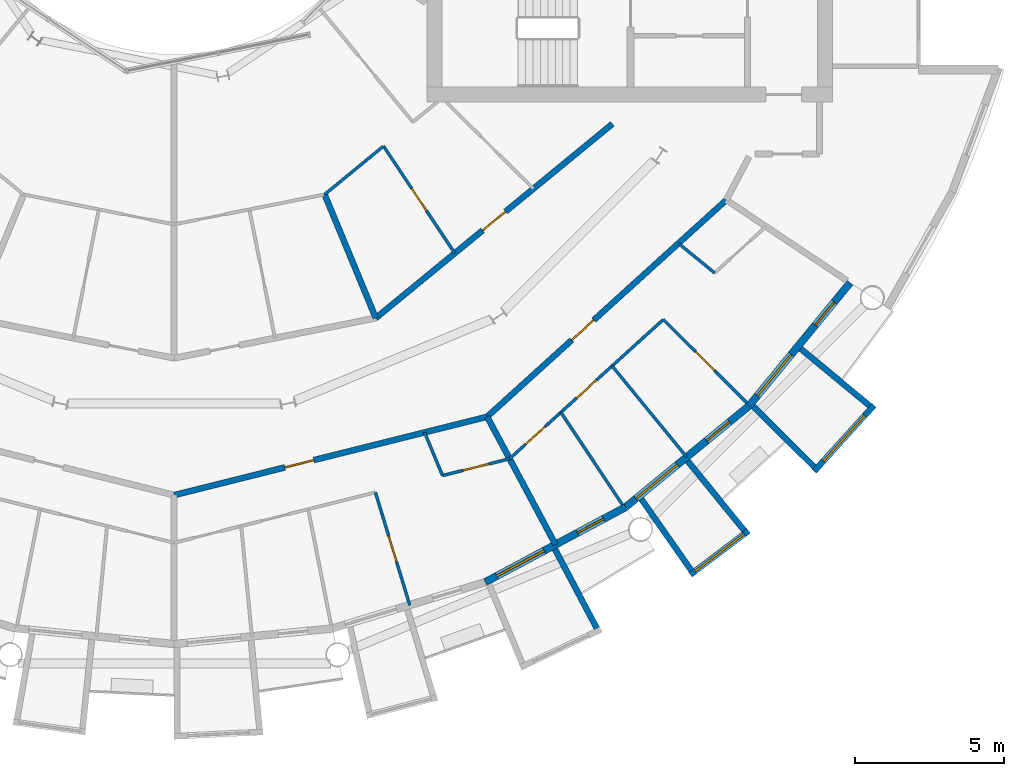
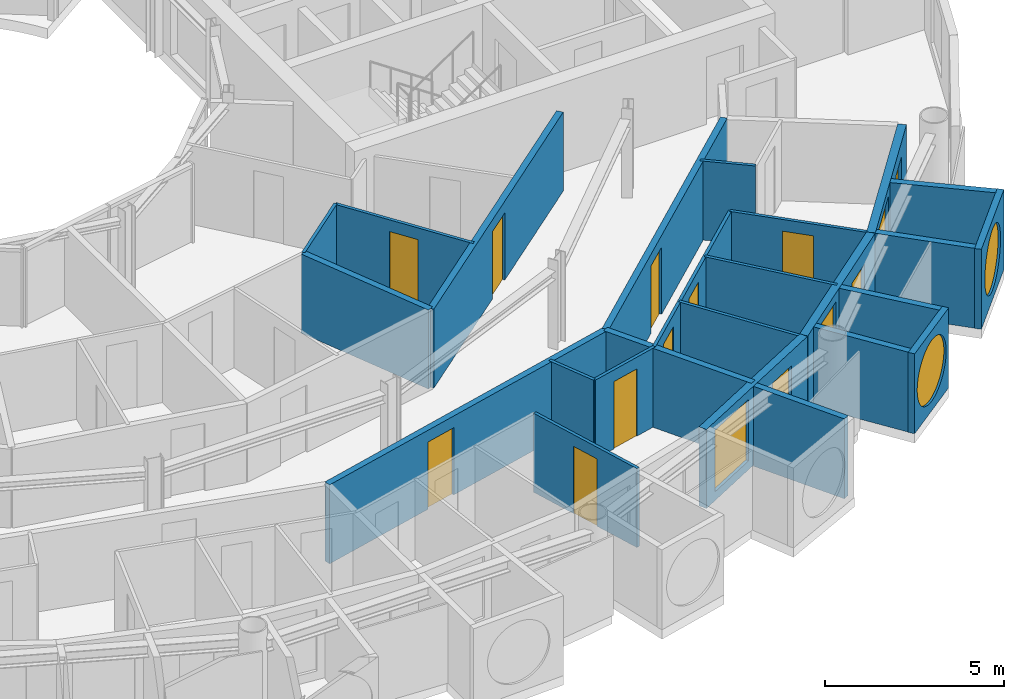
# One storey, part 17 of 26: 25 walls, 12 doors, 5 windows, 17 openings.
"""IFC4 building model written with IfcOpenShell, lengths in metres."""

from ifc_helpers import new_model, si_unit, direction, frame, frame_2d, origin, place, context, subcontext, project, spatial, rectangle, circle, extrude, material, layer, layer_set, type_object, element, fill, save


model = new_model("IFC4")

# Units and contexts
model_context = context("Model", 3, precision=1e-05, world=origin(), true_north=direction((0.0, 1.0)))
body_context = subcontext(model_context, "Body", "Model", "MODEL_VIEW")
ifc_project = project(units=[si_unit("LENGTHUNIT", "METRE"), si_unit("AREAUNIT", "SQUARE_METRE"), si_unit("VOLUMEUNIT", "CUBIC_METRE"), si_unit("PLANEANGLEUNIT", "RADIAN"), si_unit("MASSUNIT", "GRAM", prefix="KILO")], contexts=[model_context])

# Site, building, storey
site_placement = place(None, origin())
site = spatial("IfcSite", under=ifc_project, at=site_placement, CompositionType="ELEMENT")
building_placement = place(site_placement, origin())
building = spatial("IfcBuilding", under=site, at=building_placement, Name="Maasbend Ring Residences", CompositionType="ELEMENT")
storey_placement = place(building_placement, frame((0.0, 0.0, 161.60009765625)))
storey = spatial("IfcBuildingStorey", under=building, at=storey_placement, Name="L46", CompositionType="ELEMENT", Elevation=161.60009765625)

# Wall, opening, door
ifc_material_1 = material(Name="Concrete C30/37", Category="concrete")
ifc_layer_1 = layer(ifc_material_1, 0.199951171875)
ifc_layer_set_1 = layer_set([ifc_layer_1], Name="Concrete C30/37")
wall_type_1 = type_object("IfcWallType", Name="CORRIDOR WALL 200 CONCRETE", PredefinedType="PARTITIONING", material=ifc_layer_set_1)
wall_1_placement = place(storey_placement, frame((0.0, -22.300048828125, 0.0), z_axis=(0.0, 0.0, 1.0), x_axis=(0.970023181991, 0.243012399685, 0.0)))
wall_1 = element("IfcWall", 1, at=wall_1_placement, inside=storey, type_object=wall_type_1, Name="U-L46-w015", PredefinedType="PARTITIONING", context=body_context, shape_type="SweptSolid", body=[
    extrude(rectangle(XDim=10.843017578125, YDim=0.199951171875, at=frame_2d((5.42138671875, 0.0))), origin(), (0.0, 0.0, 1.0), 2.699951171875),
])
opening_1_placement = place(wall_1_placement, frame((3.8349609375, 0.0, 0.0)))
opening_1 = element("IfcOpeningElement", 2, at=opening_1_placement, cuts=wall_1, Name="Opening D-4642", PredefinedType="OPENING", context=body_context, shape_type="SweptSolid", body=[
    extrude(rectangle(XDim=1.0, YDim=2.300048828125, at=frame_2d((0.5, 1.14990234375))), frame((0.0, 0.10986328125, 0.0), z_axis=(0.0, -1.0, 0.0), x_axis=(1.0, 0.0, 0.0)), (0.0, 0.0, 1.0), 0.219970703125),
])
ifc_material_2 = material(Name="Timber, fire-rated, painted", Category="wood")
door_type_1 = type_object("IfcDoorType", Name="FLAT ENTRANCE DOOR 1000 X 2300 FIRE-RATED", OperationType="NOTDEFINED", PredefinedType="DOOR", material=ifc_material_2)
door_1_placement = place(opening_1_placement, origin())
door_1 = element("IfcDoor", 3, at=door_1_placement, inside=storey, type_object=door_type_1, Name="D-4642", OperationType="SINGLE_SWING_LEFT", OverallHeight=2.300048828125, OverallWidth=1.0, PredefinedType="DOOR", context=body_context, shape_type="SweptSolid", body=[
    extrude(rectangle(XDim=1.0, YDim=2.300048828125, at=frame_2d((0.5, 1.14990234375))), frame((0.0, 0.02490234375, 0.0), z_axis=(0.0, -1.0, 0.0), x_axis=(1.0, 0.0, 0.0)), (0.0, 0.0, 1.0), 0.050048828125),
])
fill(opening_1, door_1)

wall_2_placement = place(storey_placement, frame((10.511962890625, -19.6669921875, 0.0), z_axis=(0.0, 0.0, 1.0), x_axis=(0.740947367223, 0.671563101283, 0.0)))
wall_2 = element("IfcWall", 4, at=wall_2_placement, inside=storey, type_object=wall_type_1, Name="U-L46-w016", PredefinedType="PARTITIONING", context=body_context, shape_type="SweptSolid", body=[
    extrude(rectangle(XDim=10.83740234375, YDim=0.199951171875, at=frame_2d((5.418701171875, 0.0))), origin(), (0.0, 0.0, 1.0), 2.699951171875),
])
opening_2_placement = place(wall_2_placement, frame((3.8349609375, 0.0, 0.0)))
opening_2 = element("IfcOpeningElement", 5, at=opening_2_placement, cuts=wall_2, Name="Opening D-4647", PredefinedType="OPENING", context=body_context, shape_type="SweptSolid", body=[
    extrude(rectangle(XDim=1.0, YDim=2.300048828125, at=frame_2d((0.5, 1.14990234375))), frame((0.0, 0.10986328125, 0.0), z_axis=(0.0, -1.0, 0.0), x_axis=(1.0, 0.0, 0.0)), (0.0, 0.0, 1.0), 0.219970703125),
])
door_2_placement = place(opening_2_placement, origin())
door_2 = element("IfcDoor", 6, at=door_2_placement, inside=storey, type_object=door_type_1, Name="D-4647", OperationType="SINGLE_SWING_LEFT", OverallHeight=2.300048828125, OverallWidth=1.0, PredefinedType="DOOR", context=body_context, shape_type="SweptSolid", body=[
    extrude(rectangle(XDim=1.0, YDim=2.300048828125, at=frame_2d((0.5, 1.14990234375))), frame((0.0, 0.02490234375, 0.0), z_axis=(0.0, -1.0, 0.0), x_axis=(1.0, 0.0, 0.0)), (0.0, 0.0, 1.0), 0.050048828125),
])
fill(opening_2, door_2)

wall_3_placement = place(storey_placement, frame((6.77294921875, -16.35302734375, 0.0), z_axis=(0.0, 0.0, 1.0), x_axis=(0.773034536097, 0.634363938131, 0.0)))
wall_3 = element("IfcWall", 7, at=wall_3_placement, inside=storey, type_object=wall_type_1, Name="U-L46-w020", PredefinedType="PARTITIONING", context=body_context, shape_type="SweptSolid", body=[
    extrude(rectangle(XDim=10.276611328125, YDim=0.199951171875, at=frame_2d((5.13818359375, 0.0))), origin(), (0.0, 0.0, 1.0), 2.699951171875),
])
opening_3_placement = place(wall_3_placement, frame((4.637939453125, 0.0, 0.0)))
opening_3 = element("IfcOpeningElement", 8, at=opening_3_placement, cuts=wall_3, Name="Opening D-4662", PredefinedType="OPENING", context=body_context, shape_type="SweptSolid", body=[
    extrude(rectangle(XDim=1.0, YDim=2.300048828125, at=frame_2d((0.5, 1.14990234375))), frame((0.0, 0.10986328125, 0.0), z_axis=(0.0, -1.0, 0.0), x_axis=(1.0, 0.0, 0.0)), (0.0, 0.0, 1.0), 0.219970703125),
])
door_3_placement = place(opening_3_placement, origin())
door_3 = element("IfcDoor", 9, at=door_3_placement, inside=storey, type_object=door_type_1, Name="D-4662", OperationType="SINGLE_SWING_RIGHT", OverallHeight=2.300048828125, OverallWidth=1.0, PredefinedType="DOOR", context=body_context, shape_type="SweptSolid", body=[
    extrude(rectangle(XDim=1.0, YDim=2.300048828125, at=frame_2d((0.5, 1.14990234375))), frame((0.0, 0.02490234375, 0.0), z_axis=(0.0, -1.0, 0.0), x_axis=(1.0, 0.0, 0.0)), (0.0, 0.0, 1.0), 0.050048828125),
])
fill(opening_3, door_3)

# Wall
ifc_material_3 = material(Name="Pale anodised aluminium panel", Category="aluminium")
ifc_layer_2 = layer(ifc_material_3, 0.199951171875)
ifc_layer_set_2 = layer_set([ifc_layer_2], Name="EW-BOX")
wall_type_2 = type_object("IfcWallType", Name="EW-BOX", PredefinedType="SOLIDWALL", material=ifc_layer_set_2)
wall_4_placement = place(storey_placement, frame((12.787109375, -24.113037109375, -0.030029296875), z_axis=(0.0, 0.0, 1.0), x_axis=(0.468365282436, -0.883534924159, 0.0)))
element("IfcWall", 10, at=wall_4_placement, inside=storey, type_object=wall_type_2, Name="Box side wall S15 right", PredefinedType="SOLIDWALL", context=body_context, shape_type="SweptSolid", body=[
    extrude(rectangle(XDim=3.006103515625, YDim=0.199951171875, at=frame_2d((1.5029296875, 0.0))), origin(), (0.0, 0.0, 1.0), 2.72998046875),
])

# Wall, opening, window
wall_5_placement = place(storey_placement, frame((17.3369140625, -24.971923828125, -0.030029296875), z_axis=(0.0, 0.0, 1.0), x_axis=(0.797887588059, 0.602806268067, 0.0)))
wall_5 = element("IfcWall", 11, at=wall_5_placement, inside=storey, type_object=wall_type_2, Name="Box front S17", PredefinedType="SOLIDWALL", context=body_context, shape_type="SweptSolid", body=[
    extrude(rectangle(XDim=2.446533203125, YDim=0.199951171875, at=frame_2d((1.22314453125, 0.0))), origin(), (0.0, 0.0, 1.0), 2.72998046875),
])
opening_4_placement = place(wall_5_placement, frame((0.182861328125, 0.0, 0.330078125)))
opening_4 = element("IfcOpeningElement", 12, at=opening_4_placement, cuts=wall_5, Name="Opening W-RD", PredefinedType="OPENING", context=body_context, shape_type="SweptSolid", body=[
    extrude(circle(Radius=1.0400390625, at=frame_2d((1.0400390625, 1.0400390625))), frame((0.0, 0.10986328125, 0.0), z_axis=(0.0, -1.0, 0.0), x_axis=(1.0, 0.0, 0.0)), (0.0, 0.0, 1.0), 0.219970703125),
])
ifc_material_4 = material(Name="Aluminium and clear glass", Category="aluminium")
window_type_1 = type_object("IfcWindowType", Name="W-RD", PartitioningType="SINGLE_PANEL", PredefinedType="WINDOW", material=ifc_material_4)
window_1_placement = place(opening_4_placement, origin())
window_1 = element("IfcWindow", 13, at=window_1_placement, inside=storey, type_object=window_type_1, Name="Round window S17", OverallHeight=2.080078125, OverallWidth=2.080078125, PartitioningType="SINGLE_PANEL", PredefinedType="WINDOW", context=body_context, shape_type="SweptSolid", body=[
    extrude(circle(Radius=1.0400390625, at=frame_2d((1.0400390625, 1.0400390625))), frame((0.0, 0.030029296875, 0.0), z_axis=(0.0, -1.0, 0.0), x_axis=(1.0, 0.0, 0.0)), (0.0, 0.0, 1.0), 0.06005859375),
])
fill(opening_4, window_1)

# Walls
wall_6_placement = place(storey_placement, frame((15.68798828125, -22.43310546875, -0.030029296875), z_axis=(0.0, 0.0, 1.0), x_axis=(0.573260687834, -0.819373043115, 0.0)))
element("IfcWall", 14, at=wall_6_placement, inside=storey, type_object=wall_type_2, Name="Box side wall S17 left", PredefinedType="SOLIDWALL", context=body_context, shape_type="SweptSolid", body=[
    extrude(rectangle(XDim=2.92529296875, YDim=0.199951171875, at=frame_2d((1.462646484375, 0.0))), origin(), (0.0, 0.0, 1.0), 2.72998046875),
])
wall_7_placement = place(storey_placement, frame((17.24609375, -21.155029296875, -0.030029296875), z_axis=(0.0, 0.0, 1.0), x_axis=(0.631741648902, -0.775179004516, 0.0)))
element("IfcWall", 15, at=wall_7_placement, inside=storey, type_object=wall_type_2, Name="Box side wall S17 right", PredefinedType="SOLIDWALL", context=body_context, shape_type="SweptSolid", body=[
    extrude(rectangle(XDim=3.005859375, YDim=0.199951171875, at=frame_2d((1.5029296875, 0.0))), origin(), (0.0, 0.0, 1.0), 2.72998046875),
])

# Wall, opening, window
wall_8_placement = place(storey_placement, frame((21.492919921875, -21.5, -0.030029296875), z_axis=(0.0, 0.0, 1.0), x_axis=(0.671506829416, 0.740998365753, 0.0)))
wall_8 = element("IfcWall", 16, at=wall_8_placement, inside=storey, type_object=wall_type_2, Name="Box front S19", PredefinedType="SOLIDWALL", context=body_context, shape_type="SweptSolid", body=[
    extrude(rectangle(XDim=2.9931640625, YDim=0.199951171875, at=frame_2d((1.49658203125, 0.0))), origin(), (0.0, 0.0, 1.0), 2.72998046875),
])
opening_5_placement = place(wall_8_placement, frame((0.45654296875, 0.0, 0.330078125)))
opening_5 = element("IfcOpeningElement", 17, at=opening_5_placement, cuts=wall_8, Name="Opening W-RD", PredefinedType="OPENING", context=body_context, shape_type="SweptSolid", body=[
    extrude(circle(Radius=1.0400390625, at=frame_2d((1.0400390625, 1.0400390625))), frame((0.0, 0.10986328125, 0.0), z_axis=(0.0, -1.0, 0.0), x_axis=(1.0, 0.0, 0.0)), (0.0, 0.0, 1.0), 0.219970703125),
])
window_2_placement = place(opening_5_placement, origin())
window_2 = element("IfcWindow", 18, at=window_2_placement, inside=storey, type_object=window_type_1, Name="Round window S19", OverallHeight=2.080078125, OverallWidth=2.080078125, PartitioningType="SINGLE_PANEL", PredefinedType="WINDOW", context=body_context, shape_type="SweptSolid", body=[
    extrude(circle(Radius=1.0400390625, at=frame_2d((1.0400390625, 1.0400390625))), frame((0.0, 0.030029296875, 0.0), z_axis=(0.0, -1.0, 0.0), x_axis=(1.0, 0.0, 0.0)), (0.0, 0.0, 1.0), 0.06005859375),
])
fill(opening_5, window_2)

# Walls
wall_9_placement = place(storey_placement, frame((19.449951171875, -19.322998046875, -0.030029296875), z_axis=(0.0, 0.0, 1.0), x_axis=(0.709727076896, -0.704476739375, 0.0)))
element("IfcWall", 19, at=wall_9_placement, inside=storey, type_object=wall_type_2, Name="Box side wall S19 left", PredefinedType="SOLIDWALL", context=body_context, shape_type="SweptSolid", body=[
    extrude(rectangle(XDim=2.883056640625, YDim=0.199951171875, at=frame_2d((1.44140625, 0.0))), origin(), (0.0, 0.0, 1.0), 2.72998046875),
])
wall_10_placement = place(storey_placement, frame((21.041015625, -17.384033203125, -0.030029296875), z_axis=(0.0, 0.0, 1.0), x_axis=(0.770784861449, -0.63709551667, 0.0)))
element("IfcWall", 20, at=wall_10_placement, inside=storey, type_object=wall_type_2, Name="Box side wall S19 right", PredefinedType="SOLIDWALL", context=body_context, shape_type="SweptSolid", body=[
    extrude(rectangle(XDim=3.005859375, YDim=0.199951171875, at=frame_2d((1.5029296875, 0.0))), origin(), (0.0, 0.0, 1.0), 2.72998046875),
])

# Wall, openings, door, window
ifc_material_5 = material(Name="Aluminium clad insulated panel", Category="aluminium")
ifc_layer_3 = layer(ifc_material_5, 0.25)
ifc_layer_set_3 = layer_set([ifc_layer_3], Name="EW-GL")
wall_type_3 = type_object("IfcWallType", Name="EW-GL", PredefinedType="SOLIDWALL", material=ifc_layer_set_3)
wall_11_placement = place(storey_placement, frame((10.447021484375, -25.221923828125, 0.0), z_axis=(0.0, 0.0, 1.0), x_axis=(0.881915646801, 0.471407246368, 0.0)))
wall_11 = element("IfcWall", 21, at=wall_11_placement, inside=storey, type_object=wall_type_3, Name="External wall S08", PredefinedType="SOLIDWALL", context=body_context, shape_type="SweptSolid", body=[
    extrude(rectangle(XDim=5.35205078125, YDim=0.25, at=frame_2d((2.676025390625, 0.0))), origin(), (0.0, 0.0, 1.0), 2.699951171875),
])
opening_6_placement = place(wall_11_placement, frame((0.441162109375, 0.0, 0.300048828125)))
opening_6 = element("IfcOpeningElement", 22, at=opening_6_placement, cuts=wall_11, Name="Opening W-BX", PredefinedType="OPENING", context=body_context, shape_type="SweptSolid", body=[
    extrude(rectangle(XDim=1.800048828125, YDim=2.10009765625, at=frame_2d((0.89990234375, 1.050048828125))), frame((0.0, 0.135009765625, 0.0), z_axis=(0.0, -1.0, 0.0), x_axis=(1.0, 0.0, 0.0)), (0.0, 0.0, 1.0), 0.27001953125),
])
opening_7_placement = place(wall_11_placement, frame((3.510498046875, 0.0, 0.0)))
opening_7 = element("IfcOpeningElement", 23, at=opening_7_placement, cuts=wall_11, Name="Opening D-LG", PredefinedType="OPENING", context=body_context, shape_type="SweptSolid", body=[
    extrude(rectangle(XDim=1.0, YDim=2.199951171875, at=frame_2d((0.5, 1.10009765625))), frame((0.0, 0.135009765625, 0.0), z_axis=(0.0, -1.0, 0.0), x_axis=(1.0, 0.0, 0.0)), (0.0, 0.0, 1.0), 0.27001953125),
])
ifc_material_6 = material(Name="Aluminium and clear glass", Category="aluminium")
door_type_2 = type_object("IfcDoorType", Name="D-LG", OperationType="SINGLE_SWING_LEFT", PredefinedType="DOOR", material=ifc_material_6)
door_4_placement = place(opening_7_placement, origin())
door_4 = element("IfcDoor", 24, at=door_4_placement, inside=storey, type_object=door_type_2, Name="Loggia door S16", OperationType="SINGLE_SWING_LEFT", OverallHeight=2.199951171875, OverallWidth=1.0, PredefinedType="DOOR", context=body_context, shape_type="SweptSolid", body=[
    extrude(rectangle(XDim=1.0, YDim=2.199951171875, at=frame_2d((0.5, 1.10009765625))), frame((0.0, 0.02490234375, 0.0), z_axis=(0.0, -1.0, 0.0), x_axis=(1.0, 0.0, 0.0)), (0.0, 0.0, 1.0), 0.050048828125),
])
fill(opening_7, door_4)
ifc_material_7 = material(Name="Aluminium and clear glass", Category="aluminium")
window_type_2 = type_object("IfcWindowType", Name="W-BX", PartitioningType="DOUBLE_PANEL_VERTICAL", PredefinedType="WINDOW", material=ifc_material_7)
window_3_placement = place(opening_6_placement, origin())
window_3 = element("IfcWindow", 25, at=window_3_placement, inside=storey, type_object=window_type_2, Name="Window S15 room to box", OverallHeight=2.10009765625, OverallWidth=1.800048828125, PartitioningType="SINGLE_PANEL", PredefinedType="WINDOW", context=body_context, shape_type="SweptSolid", body=[
    extrude(rectangle(XDim=1.800048828125, YDim=2.10009765625, at=frame_2d((0.89990234375, 1.050048828125))), frame((0.0, 0.030029296875, 0.0), z_axis=(0.0, -1.0, 0.0), x_axis=(1.0, 0.0, 0.0)), (0.0, 0.0, 1.0), 0.06005859375),
])
fill(opening_6, window_3)

wall_12_placement = place(storey_placement, frame((15.1669921875, -22.698974609375, 0.0), z_axis=(0.0, 0.0, 1.0), x_axis=(0.773019449054, 0.634382322723, 0.0)))
wall_12 = element("IfcWall", 26, at=wall_12_placement, inside=storey, type_object=wall_type_3, Name="External wall S09", PredefinedType="SOLIDWALL", context=body_context, shape_type="SweptSolid", body=[
    extrude(rectangle(XDim=5.351806640625, YDim=0.25, at=frame_2d((2.67578125, 0.0))), origin(), (0.0, 0.0, 1.0), 2.699951171875),
])
opening_8_placement = place(wall_12_placement, frame((0.441162109375, 0.0, 0.300048828125)))
opening_8 = element("IfcOpeningElement", 27, at=opening_8_placement, cuts=wall_12, Name="Opening W-BX", PredefinedType="OPENING", context=body_context, shape_type="SweptSolid", body=[
    extrude(rectangle(XDim=1.800048828125, YDim=2.10009765625, at=frame_2d((0.89990234375, 1.050048828125))), frame((0.0, 0.135009765625, 0.0), z_axis=(0.0, -1.0, 0.0), x_axis=(1.0, 0.0, 0.0)), (0.0, 0.0, 1.0), 0.27001953125),
])
opening_9_placement = place(wall_12_placement, frame((3.510498046875, 0.0, 0.0)))
opening_9 = element("IfcOpeningElement", 28, at=opening_9_placement, cuts=wall_12, Name="Opening D-LG", PredefinedType="OPENING", context=body_context, shape_type="SweptSolid", body=[
    extrude(rectangle(XDim=1.0, YDim=2.199951171875, at=frame_2d((0.5, 1.10009765625))), frame((0.0, 0.135009765625, 0.0), z_axis=(0.0, -1.0, 0.0), x_axis=(1.0, 0.0, 0.0)), (0.0, 0.0, 1.0), 0.27001953125),
])
door_5_placement = place(opening_9_placement, origin())
door_5 = element("IfcDoor", 29, at=door_5_placement, inside=storey, type_object=door_type_2, Name="Loggia door S18", OperationType="SINGLE_SWING_LEFT", OverallHeight=2.199951171875, OverallWidth=1.0, PredefinedType="DOOR", context=body_context, shape_type="SweptSolid", body=[
    extrude(rectangle(XDim=1.0, YDim=2.199951171875, at=frame_2d((0.5, 1.10009765625))), frame((0.0, 0.02490234375, 0.0), z_axis=(0.0, -1.0, 0.0), x_axis=(1.0, 0.0, 0.0)), (0.0, 0.0, 1.0), 0.050048828125),
])
fill(opening_9, door_5)
window_4_placement = place(opening_8_placement, origin())
window_4 = element("IfcWindow", 30, at=window_4_placement, inside=storey, type_object=window_type_2, Name="Window S17 room to box", OverallHeight=2.10009765625, OverallWidth=1.800048828125, PartitioningType="SINGLE_PANEL", PredefinedType="WINDOW", context=body_context, shape_type="SweptSolid", body=[
    extrude(rectangle(XDim=1.800048828125, YDim=2.10009765625, at=frame_2d((0.89990234375, 1.050048828125))), frame((0.0, 0.030029296875, 0.0), z_axis=(0.0, -1.0, 0.0), x_axis=(1.0, 0.0, 0.0)), (0.0, 0.0, 1.0), 0.06005859375),
])
fill(opening_8, window_4)

wall_13_placement = place(storey_placement, frame((19.303955078125, -19.303955078125, 0.0), z_axis=(0.0, 0.0, 1.0), x_axis=(0.634382322723, 0.773019449054, 0.0)))
wall_13 = element("IfcWall", 31, at=wall_13_placement, inside=storey, type_object=wall_type_3, Name="External wall S10", PredefinedType="SOLIDWALL", context=body_context, shape_type="SweptSolid", body=[
    extrude(rectangle(XDim=5.351806640625, YDim=0.25, at=frame_2d((2.67578125, 0.0))), origin(), (0.0, 0.0, 1.0), 2.699951171875),
])
opening_10_placement = place(wall_13_placement, frame((0.441162109375, 0.0, 0.300048828125)))
opening_10 = element("IfcOpeningElement", 32, at=opening_10_placement, cuts=wall_13, Name="Opening W-BX", PredefinedType="OPENING", context=body_context, shape_type="SweptSolid", body=[
    extrude(rectangle(XDim=1.800048828125, YDim=2.10009765625, at=frame_2d((0.89990234375, 1.050048828125))), frame((0.0, 0.135009765625, 0.0), z_axis=(0.0, -1.0, 0.0), x_axis=(1.0, 0.0, 0.0)), (0.0, 0.0, 1.0), 0.27001953125),
])
opening_11_placement = place(wall_13_placement, frame((3.510498046875, 0.0, 0.0)))
opening_11 = element("IfcOpeningElement", 33, at=opening_11_placement, cuts=wall_13, Name="Opening D-LG", PredefinedType="OPENING", context=body_context, shape_type="SweptSolid", body=[
    extrude(rectangle(XDim=1.0, YDim=2.199951171875, at=frame_2d((0.5, 1.10009765625))), frame((0.0, 0.135009765625, 0.0), z_axis=(0.0, -1.0, 0.0), x_axis=(1.0, 0.0, 0.0)), (0.0, 0.0, 1.0), 0.27001953125),
])
door_6_placement = place(opening_11_placement, origin())
door_6 = element("IfcDoor", 34, at=door_6_placement, inside=storey, type_object=door_type_2, Name="Loggia door S20", OperationType="SINGLE_SWING_LEFT", OverallHeight=2.199951171875, OverallWidth=1.0, PredefinedType="DOOR", context=body_context, shape_type="SweptSolid", body=[
    extrude(rectangle(XDim=1.0, YDim=2.199951171875, at=frame_2d((0.5, 1.10009765625))), frame((0.0, 0.02490234375, 0.0), z_axis=(0.0, -1.0, 0.0), x_axis=(1.0, 0.0, 0.0)), (0.0, 0.0, 1.0), 0.050048828125),
])
fill(opening_11, door_6)
window_5_placement = place(opening_10_placement, origin())
window_5 = element("IfcWindow", 35, at=window_5_placement, inside=storey, type_object=window_type_2, Name="Window S19 room to box", OverallHeight=2.10009765625, OverallWidth=1.800048828125, PartitioningType="SINGLE_PANEL", PredefinedType="WINDOW", context=body_context, shape_type="SweptSolid", body=[
    extrude(rectangle(XDim=1.800048828125, YDim=2.10009765625, at=frame_2d((0.89990234375, 1.050048828125))), frame((0.0, 0.030029296875, 0.0), z_axis=(0.0, -1.0, 0.0), x_axis=(1.0, 0.0, 0.0)), (0.0, 0.0, 1.0), 0.06005859375),
])
fill(opening_10, window_5)

# Wall, opening, door
ifc_material_8 = material(Name="Gypsum board on steel studs", Category="steel")
ifc_layer_4 = layer(ifc_material_8, 0.10009765625)
ifc_layer_set_4 = layer_set([ifc_layer_4], Name="PARTITION 100 GYPSUM")
wall_type_4 = type_object("IfcWallType", Name="PARTITION 100 GYPSUM", PredefinedType="PARTITIONING", material=ifc_layer_set_4)
wall_14_placement = place(storey_placement, frame((9.011962890625, -21.64306640625, 0.0), z_axis=(0.0, 0.0, 1.0), x_axis=(0.970025067561, 0.243004873001, 0.0)))
wall_14 = element("IfcWall", 36, at=wall_14_placement, inside=storey, type_object=wall_type_4, Name="U-L46-w006", PredefinedType="PARTITIONING", context=body_context, shape_type="SweptSolid", body=[
    extrude(rectangle(XDim=2.325927734375, YDim=0.10009765625, at=frame_2d((1.1630859375, 0.0))), origin(), (0.0, 0.0, 1.0), 2.699951171875),
])
opening_12_placement = place(wall_14_placement, frame((0.7099609375, 0.0, 0.0)))
opening_12 = element("IfcOpeningElement", 37, at=opening_12_placement, cuts=wall_14, Name="Opening D-4643", PredefinedType="OPENING", context=body_context, shape_type="SweptSolid", body=[
    extrude(rectangle(XDim=0.89990234375, YDim=2.300048828125, at=frame_2d((0.449951171875, 1.14990234375))), frame((0.0, 0.06005859375, 0.0), z_axis=(0.0, -1.0, 0.0), x_axis=(1.0, 0.0, 0.0)), (0.0, 0.0, 1.0), 0.1201171875),
])
ifc_material_9 = material(Name="Timber, painted", Category="wood")
door_type_3 = type_object("IfcDoorType", Name="INTERNAL DOOR 900 X 2300", OperationType="NOTDEFINED", PredefinedType="DOOR", material=ifc_material_9)
door_7_placement = place(opening_12_placement, origin())
door_7 = element("IfcDoor", 38, at=door_7_placement, inside=storey, type_object=door_type_3, Name="D-4643", OperationType="SINGLE_SWING_LEFT", OverallHeight=2.300048828125, OverallWidth=0.89990234375, PredefinedType="DOOR", context=body_context, shape_type="SweptSolid", body=[
    extrude(rectangle(XDim=0.89990234375, YDim=2.300048828125, at=frame_2d((0.449951171875, 1.14990234375))), frame((0.0, 0.02490234375, 0.0), z_axis=(0.0, -1.0, 0.0), x_axis=(1.0, 0.0, 0.0)), (0.0, 0.0, 1.0), 0.050048828125),
])
fill(opening_12, door_7)

# Wall, openings, doors
wall_15_placement = place(storey_placement, frame((11.26611328125, -21.077880859375, 0.0), z_axis=(0.0, 0.0, 1.0), x_axis=(0.74114118713, 0.671349194339, 0.0)))
wall_15 = element("IfcWall", 39, at=wall_15_placement, inside=storey, type_object=wall_type_4, Name="U-L46-w007", PredefinedType="PARTITIONING", context=body_context, shape_type="SweptSolid", body=[
    extrude(rectangle(XDim=6.96484375, YDim=0.10009765625, at=frame_2d((3.482421875, 0.0))), origin(), (0.0, 0.0, 1.0), 2.699951171875),
])
opening_13_placement = place(wall_15_placement, frame((3.033935546875, 0.0, 0.0)))
opening_13 = element("IfcOpeningElement", 40, at=opening_13_placement, cuts=wall_15, Name="Opening D-4650", PredefinedType="OPENING", context=body_context, shape_type="SweptSolid", body=[
    extrude(rectangle(XDim=0.89990234375, YDim=2.300048828125, at=frame_2d((0.449951171875, 1.14990234375))), frame((0.0, 0.06005859375, 0.0), z_axis=(0.0, -1.0, 0.0), x_axis=(1.0, 0.0, 0.0)), (0.0, 0.0, 1.0), 0.1201171875),
])
opening_14_placement = place(wall_15_placement, frame((0.7119140625, 0.0, 0.0)))
opening_14 = element("IfcOpeningElement", 41, at=opening_14_placement, cuts=wall_15, Name="Opening D-4651", PredefinedType="OPENING", context=body_context, shape_type="SweptSolid", body=[
    extrude(rectangle(XDim=0.89990234375, YDim=2.300048828125, at=frame_2d((0.449951171875, 1.14990234375))), frame((0.0, 0.06005859375, 0.0), z_axis=(0.0, -1.0, 0.0), x_axis=(1.0, 0.0, 0.0)), (0.0, 0.0, 1.0), 0.1201171875),
])
door_8_placement = place(opening_13_placement, origin())
door_8 = element("IfcDoor", 42, at=door_8_placement, inside=storey, type_object=door_type_3, Name="D-4650", OperationType="SINGLE_SWING_RIGHT", OverallHeight=2.300048828125, OverallWidth=0.89990234375, PredefinedType="DOOR", context=body_context, shape_type="SweptSolid", body=[
    extrude(rectangle(XDim=0.89990234375, YDim=2.300048828125, at=frame_2d((0.449951171875, 1.14990234375))), frame((0.0, 0.02490234375, 0.0), z_axis=(0.0, -1.0, 0.0), x_axis=(1.0, 0.0, 0.0)), (0.0, 0.0, 1.0), 0.050048828125),
])
fill(opening_13, door_8)
door_9_placement = place(opening_14_placement, origin())
door_9 = element("IfcDoor", 43, at=door_9_placement, inside=storey, type_object=door_type_3, Name="D-4651", OperationType="SINGLE_SWING_LEFT", OverallHeight=2.300048828125, OverallWidth=0.89990234375, PredefinedType="DOOR", context=body_context, shape_type="SweptSolid", body=[
    extrude(rectangle(XDim=0.89990234375, YDim=2.300048828125, at=frame_2d((0.449951171875, 1.14990234375))), frame((0.0, 0.02490234375, 0.0), z_axis=(0.0, -1.0, 0.0), x_axis=(1.0, 0.0, 0.0)), (0.0, 0.0, 1.0), 0.050048828125),
])
fill(opening_14, door_9)

# Wall
wall_16_placement = place(storey_placement, frame((5.054931640625, -12.2041015625, 0.0), z_axis=(0.0, 0.0, 1.0), x_axis=(0.772943675046, 0.634474645046, 0.0)))
element("IfcWall", 44, at=wall_16_placement, inside=storey, type_object=wall_type_4, Name="U-L46-w025", PredefinedType="PARTITIONING", context=body_context, shape_type="SweptSolid", body=[
    extrude(rectangle(XDim=2.556640625, YDim=0.10009765625, at=frame_2d((1.2783203125, 0.0))), origin(), (0.0, 0.0, 1.0), 2.699951171875),
])

# Wall, opening, door
wall_17_placement = place(storey_placement, frame((6.760009765625, -22.20703125, 0.0), z_axis=(0.0, 0.0, 1.0), x_axis=(0.291291575636, -0.956634317785, 0.0)))
wall_17 = element("IfcWall", 45, at=wall_17_placement, inside=storey, type_object=wall_type_4, Name="U-L46-w072", PredefinedType="PARTITIONING", context=body_context, shape_type="SweptSolid", body=[
    extrude(rectangle(XDim=3.9619140625, YDim=0.10009765625, at=frame_2d((1.98095703125, 0.0))), origin(), (0.0, 0.0, 1.0), 2.699951171875),
])
opening_15_placement = place(wall_17_placement, frame((1.531005859375, 0.0, 0.0)))
opening_15 = element("IfcOpeningElement", 46, at=opening_15_placement, cuts=wall_17, Name="Opening D-4644", PredefinedType="OPENING", context=body_context, shape_type="SweptSolid", body=[
    extrude(rectangle(XDim=0.89990234375, YDim=2.300048828125, at=frame_2d((0.449951171875, 1.14990234375))), frame((0.0, 0.06005859375, 0.0), z_axis=(0.0, -1.0, 0.0), x_axis=(1.0, 0.0, 0.0)), (0.0, 0.0, 1.0), 0.1201171875),
])
door_10_placement = place(opening_15_placement, origin())
door_10 = element("IfcDoor", 47, at=door_10_placement, inside=storey, type_object=door_type_3, Name="D-4644", OperationType="SINGLE_SWING_RIGHT", OverallHeight=2.300048828125, OverallWidth=0.89990234375, PredefinedType="DOOR", context=body_context, shape_type="SweptSolid", body=[
    extrude(rectangle(XDim=0.89990234375, YDim=2.300048828125, at=frame_2d((0.449951171875, 1.14990234375))), frame((0.0, 0.02490234375, 0.0), z_axis=(0.0, -1.0, 0.0), x_axis=(1.0, 0.0, 0.0)), (0.0, 0.0, 1.0), 0.050048828125),
])
fill(opening_15, door_10)

wall_18_placement = place(storey_placement, frame((7.032958984375, -10.5810546875, 0.0), z_axis=(0.0, 0.0, 1.0), x_axis=(0.553865036342, -0.832606462573, 0.0)))
wall_18 = element("IfcWall", 48, at=wall_18_placement, inside=storey, type_object=wall_type_4, Name="U-L46-w075", PredefinedType="PARTITIONING", context=body_context, shape_type="SweptSolid", body=[
    extrude(rectangle(XDim=4.31884765625, YDim=0.10009765625, at=frame_2d((2.159423828125, 0.0))), origin(), (0.0, 0.0, 1.0), 2.699951171875),
])
opening_16_placement = place(wall_18_placement, frame((1.708984375, 0.0, 0.0)))
opening_16 = element("IfcOpeningElement", 49, at=opening_16_placement, cuts=wall_18, Name="Opening D-4663", PredefinedType="OPENING", context=body_context, shape_type="SweptSolid", body=[
    extrude(rectangle(XDim=0.89990234375, YDim=2.300048828125, at=frame_2d((0.449951171875, 1.14990234375))), frame((0.0, 0.06005859375, 0.0), z_axis=(0.0, -1.0, 0.0), x_axis=(1.0, 0.0, 0.0)), (0.0, 0.0, 1.0), 0.1201171875),
])
door_11_placement = place(opening_16_placement, origin())
door_11 = element("IfcDoor", 50, at=door_11_placement, inside=storey, type_object=door_type_3, Name="D-4663", OperationType="SINGLE_SWING_RIGHT", OverallHeight=2.300048828125, OverallWidth=0.89990234375, PredefinedType="DOOR", context=body_context, shape_type="SweptSolid", body=[
    extrude(rectangle(XDim=0.89990234375, YDim=2.300048828125, at=frame_2d((0.449951171875, 1.14990234375))), frame((0.0, 0.02490234375, 0.0), z_axis=(0.0, -1.0, 0.0), x_axis=(1.0, 0.0, 0.0)), (0.0, 0.0, 1.0), 0.050048828125),
])
fill(opening_16, door_11)

# Walls
wall_19_placement = place(storey_placement, frame((12.988037109375, -19.51806640625, 0.0), z_axis=(0.0, 0.0, 1.0), x_axis=(0.553823887887, -0.83263383381, 0.0)))
element("IfcWall", 51, at=wall_19_placement, inside=storey, type_object=wall_type_4, Name="U-L46-w082", PredefinedType="PARTITIONING", context=body_context, shape_type="SweptSolid", body=[
    extrude(rectangle(XDim=3.730224609375, YDim=0.10009765625, at=frame_2d((1.865234375, 0.0))), origin(), (0.0, 0.0, 1.0), 2.699951171875),
])
wall_20_placement = place(storey_placement, frame((14.7060546875, -17.9609375, 0.0), z_axis=(0.0, 0.0, 1.0), x_axis=(0.633590098448, -0.773668913133, 0.0)))
element("IfcWall", 52, at=wall_20_placement, inside=storey, type_object=wall_type_4, Name="U-L46-w083", PredefinedType="PARTITIONING", context=body_context, shape_type="SweptSolid", body=[
    extrude(rectangle(XDim=3.961669921875, YDim=0.10009765625, at=frame_2d((1.98095703125, 0.0))), origin(), (0.0, 0.0, 1.0), 2.699951171875),
])

# Wall, opening, door
wall_21_placement = place(storey_placement, frame((16.427001953125, -16.40087890625, 0.0), z_axis=(0.0, 0.0, 1.0), x_axis=(0.707722727509, -0.706490297858, 0.0)))
wall_21 = element("IfcWall", 53, at=wall_21_placement, inside=storey, type_object=wall_type_4, Name="U-L46-w085", PredefinedType="PARTITIONING", context=body_context, shape_type="SweptSolid", body=[
    extrude(rectangle(XDim=3.9619140625, YDim=0.10009765625, at=frame_2d((1.98095703125, 0.0))), origin(), (0.0, 0.0, 1.0), 2.699951171875),
])
opening_17_placement = place(wall_21_placement, frame((1.531005859375, 0.0, 0.0)))
opening_17 = element("IfcOpeningElement", 54, at=opening_17_placement, cuts=wall_21, Name="Opening D-4649", PredefinedType="OPENING", context=body_context, shape_type="SweptSolid", body=[
    extrude(rectangle(XDim=0.89990234375, YDim=2.300048828125, at=frame_2d((0.449951171875, 1.14990234375))), frame((0.0, 0.06005859375, 0.0), z_axis=(0.0, -1.0, 0.0), x_axis=(1.0, 0.0, 0.0)), (0.0, 0.0, 1.0), 0.1201171875),
])
door_12_placement = place(opening_17_placement, origin())
door_12 = element("IfcDoor", 55, at=door_12_placement, inside=storey, type_object=door_type_3, Name="D-4649", OperationType="SINGLE_SWING_RIGHT", OverallHeight=2.300048828125, OverallWidth=0.89990234375, PredefinedType="DOOR", context=body_context, shape_type="SweptSolid", body=[
    extrude(rectangle(XDim=0.89990234375, YDim=2.300048828125, at=frame_2d((0.449951171875, 1.14990234375))), frame((0.0, 0.02490234375, 0.0), z_axis=(0.0, -1.0, 0.0), x_axis=(1.0, 0.0, 0.0)), (0.0, 0.0, 1.0), 0.050048828125),
])
fill(opening_17, door_12)

# Walls
wall_22_placement = place(storey_placement, frame((16.93603515625, -13.844970703125, 0.0), z_axis=(0.0, 0.0, 1.0), x_axis=(0.774283039722, -0.632839453889, 0.0)))
element("IfcWall", 56, at=wall_22_placement, inside=storey, type_object=wall_type_4, Name="U-L46-w087", PredefinedType="PARTITIONING", context=body_context, shape_type="SweptSolid", body=[
    extrude(rectangle(XDim=1.569091796875, YDim=0.10009765625, at=frame_2d((0.78466796875, 0.0))), origin(), (0.0, 0.0, 1.0), 2.699951171875),
])
wall_23_placement = place(storey_placement, frame((8.409912109375, -20.193115234375, 0.0), z_axis=(0.0, 0.0, 1.0), x_axis=(0.384228756538, -0.923237923099, 0.0)))
element("IfcWall", 57, at=wall_23_placement, inside=storey, type_object=wall_type_4, Name="U-L46-w091", PredefinedType="PARTITIONING", context=body_context, shape_type="SweptSolid", body=[
    extrude(rectangle(XDim=1.5693359375, YDim=0.10009765625, at=frame_2d((0.78466796875, 0.0))), origin(), (0.0, 0.0, 1.0), 2.699951171875),
])
ifc_material_10 = material(Name="Concrete C30/37", Category="concrete")
ifc_layer_5 = layer(ifc_material_10, 0.199951171875)
ifc_layer_set_5 = layer_set([ifc_layer_5], Name="Concrete C30/37")
wall_type_5 = type_object("IfcWallType", Name="PARTY WALL 200 CONCRETE", PredefinedType="PARTITIONING", material=ifc_layer_set_5)
wall_24_placement = place(storey_placement, frame((5.054931640625, -12.2041015625, 0.0), z_axis=(0.0, 0.0, 1.0), x_axis=(0.38258387732, -0.923920763277, 0.0)))
element("IfcWall", 58, at=wall_24_placement, inside=storey, type_object=wall_type_5, Name="U-L46-w070", PredefinedType="PARTITIONING", context=body_context, shape_type="SweptSolid", body=[
    extrude(rectangle(XDim=4.490478515625, YDim=0.199951171875, at=frame_2d((2.2451171875, 0.0))), origin(), (0.0, 0.0, 1.0), 2.699951171875),
])
wall_25_placement = place(storey_placement, frame((10.511962890625, -19.6669921875, 0.0), z_axis=(0.0, 0.0, 1.0), x_axis=(0.471427642527, -0.881904744211, 0.0)))
element("IfcWall", 59, at=wall_25_placement, inside=storey, type_object=wall_type_5, Name="U-L46-w079", PredefinedType="PARTITIONING", context=body_context, shape_type="SweptSolid", body=[
    extrude(rectangle(XDim=4.874755859375, YDim=0.199951171875, at=frame_2d((2.4375, 0.0))), origin(), (0.0, 0.0, 1.0), 2.699951171875),
])

save(model, "model.ifc")
